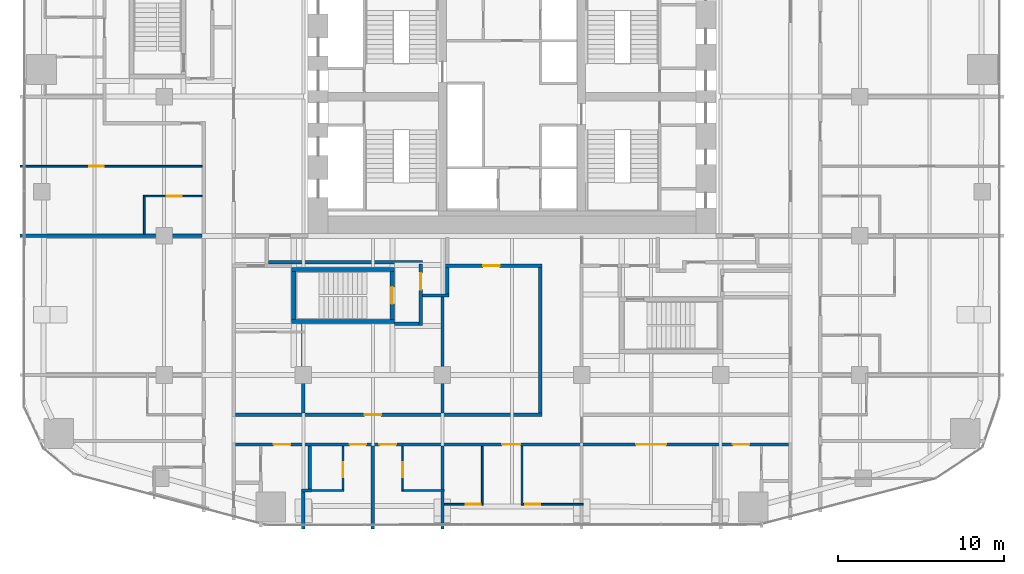
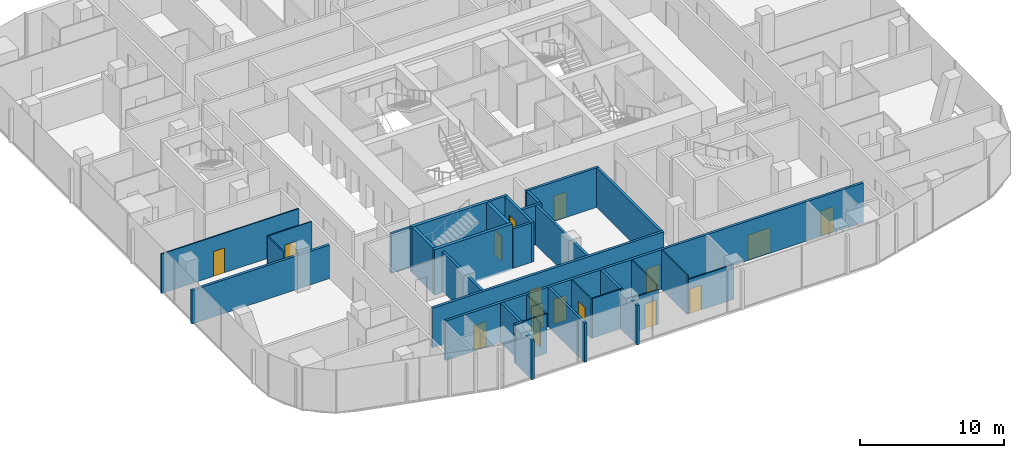
# One storey, part 17 of 27: 32 walls, 16 doors, 16 openings.
"""IFC4 building model written with IfcOpenShell, lengths in metres."""

from ifc_helpers import new_model, si_unit, direction, frame, frame_2d, origin, place, context, subcontext, project, spatial, rectangle, extrude, material, layer, layer_set, type_object, element, fill, save


model = new_model("IFC4")

# Units and contexts
model_context = context("Model", 3, precision=1e-05, world=origin(), true_north=direction((0.0, 1.0)))
body_context = subcontext(model_context, "Body", "Model", "MODEL_VIEW")
ifc_project = project(units=[si_unit("LENGTHUNIT", "METRE"), si_unit("AREAUNIT", "SQUARE_METRE"), si_unit("VOLUMEUNIT", "CUBIC_METRE"), si_unit("PLANEANGLEUNIT", "RADIAN"), si_unit("MASSUNIT", "GRAM", prefix="KILO")], contexts=[model_context])

# Site, building, storey
site_placement = place(None, origin())
site = spatial("IfcSite", under=ifc_project, at=site_placement, CompositionType="ELEMENT")
building_placement = place(site_placement, origin())
building = spatial("IfcBuilding", under=site, at=building_placement, Name="Marenta Gate Hotel Tower", CompositionType="ELEMENT")
storey_placement = place(building_placement, frame((0.0, 0.0, 36.5)))
storey = spatial("IfcBuildingStorey", under=building, at=storey_placement, Name="L06", CompositionType="ELEMENT", Elevation=36.5)

# Walls
ifc_material_1 = material(Name="Concrete C40", Category="concrete")
ifc_layer_1 = layer(ifc_material_1, 0.25)
ifc_layer_set_1 = layer_set([ifc_layer_1], Name="Concrete C40")
wall_type_1 = type_object("IfcWallType", Name="Remote stair enclosure wall 250 REI 180", PredefinedType="SHEAR", material=ifc_layer_set_1)
for number, where, z_axis, x_axis, name in (
    (1, (-13.300048828125, -5.175048828125, -0.14990234375), (0.0, 0.0, 1.0), (1.0, 0.0, 0.0), "L06-RS-Z1-2-W1"),
    (2, (-13.300048828125, -2.02490234375, -0.14990234375), (0.0, 0.0, 1.0), (1.0, 0.0, 0.0), "L06-RS-Z1-2-W2"),
):
    element("IfcWall", number, at=place(storey_placement, frame(where, z_axis=z_axis, x_axis=x_axis)), inside=storey, type_object=wall_type_1, Name=name, PredefinedType="SHEAR", context=body_context, shape_type="SweptSolid", body=[
        extrude(rectangle(XDim=6.199951171875, YDim=0.25, at=frame_2d((3.10009765625, 0.0))), origin(), (0.0, 0.0, 1.0), 3.849853515625),
    ])
wall_1_placement = place(storey_placement, frame((-13.175048828125, -5.050048828125, -0.14990234375), z_axis=(0.0, 0.0, 1.0), x_axis=(0.0, 1.0, 0.0)))
element("IfcWall", 3, at=wall_1_placement, inside=storey, type_object=wall_type_1, Name="L06-RS-Z1-2-W3", PredefinedType="SHEAR", context=body_context, shape_type="SweptSolid", body=[
    extrude(rectangle(XDim=2.900146484375, YDim=0.25, at=frame_2d((1.4501953125, 0.0))), origin(), (0.0, 0.0, 1.0), 3.849853515625),
])

# Wall, opening, door
wall_2_placement = place(storey_placement, frame((-7.22509765625, -5.050048828125, -0.14990234375), z_axis=(0.0, 0.0, 1.0), x_axis=(0.0, 1.0, 0.0)))
wall_2 = element("IfcWall", 4, at=wall_2_placement, inside=storey, type_object=wall_type_1, Name="L06-RS-Z1-2-W4", PredefinedType="SHEAR", context=body_context, shape_type="SweptSolid", body=[
    extrude(rectangle(XDim=2.900146484375, YDim=0.25, at=frame_2d((1.4501953125, 0.0))), origin(), (0.0, 0.0, 1.0), 3.849853515625),
])
opening_1_placement = place(wall_2_placement, frame((0.949951171875, 0.0, 0.0)))
opening_1 = element("IfcOpeningElement", 5, at=opening_1_placement, cuts=wall_2, Name="Opening VD", PredefinedType="OPENING", context=body_context, shape_type="SweptSolid", body=[
    extrude(rectangle(XDim=1.0, YDim=2.10009765625, at=frame_2d((0.5, 1.050048828125))), frame((0.0, 0.125, 0.0), z_axis=(0.0, -1.0, 0.0), x_axis=(1.0, 0.0, 0.0)), (0.0, 0.0, 1.0), 0.25),
])
ifc_material_2 = material(Name="Steel", Category="steel")
door_type_1 = type_object("IfcDoorType", Name="Stair vestibule door 1000x2100 FD60", OperationType="SINGLE_SWING_LEFT", PredefinedType="DOOR", material=ifc_material_2)
door_1_placement = place(opening_1_placement, origin())
door_1 = element("IfcDoor", 6, at=door_1_placement, inside=storey, type_object=door_type_1, Name="VD", OperationType="SINGLE_SWING_LEFT", OverallHeight=2.10009765625, OverallWidth=1.0, PredefinedType="DOOR", context=body_context, shape_type="SweptSolid", body=[
    extrude(rectangle(XDim=1.0, YDim=2.10009765625, at=frame_2d((0.5, 1.050048828125))), frame((0.0, 0.02490234375, 0.0), z_axis=(0.0, -1.0, 0.0), x_axis=(1.0, 0.0, 0.0)), (0.0, 0.0, 1.0), 0.050048828125),
])
fill(opening_1, door_1)

# Wall, openings, doors
ifc_material_3 = material(Name="Gypsum board on steel stud", Category="steel")
ifc_layer_2 = layer(ifc_material_3, 0.199951171875)
ifc_layer_set_2 = layer_set([ifc_layer_2], Name="Gypsum board on steel stud")
wall_type_2 = type_object("IfcWallType", Name="Room corridor wall 200 EI 60", PredefinedType="PARTITIONING", material=ifc_layer_set_2)
wall_3_placement = place(storey_placement, frame((-16.699951171875, -12.60009765625, 0.0), z_axis=(0.0, 0.0, 1.0), x_axis=(1.0, 0.0, 0.0)))
wall_3 = element("IfcWall", 7, at=wall_3_placement, inside=storey, type_object=wall_type_2, Name="L06-PTN-W031", PredefinedType="PARTITIONING", context=body_context, shape_type="SweptSolid", body=[
    extrude(rectangle(XDim=33.39990234375, YDim=0.199951171875, at=frame_2d((16.699951171875, 0.0))), origin(), (0.0, 0.0, 1.0), 3.340087890625),
])
opening_2_placement = place(wall_3_placement, frame((6.89990234375, 0.0, 0.0)))
opening_2 = element("IfcOpeningElement", 8, at=opening_2_placement, cuts=wall_3, Name="Opening G01-35", PredefinedType="OPENING", context=body_context, shape_type="SweptSolid", body=[
    extrude(rectangle(XDim=1.0, YDim=2.10009765625, at=frame_2d((0.5, 1.050048828125))), frame((0.0, 0.10009765625, 0.0), z_axis=(0.0, -1.0, 0.0), x_axis=(1.0, 0.0, 0.0)), (0.0, 0.0, 1.0), 0.199951171875),
])
opening_3_placement = place(wall_3_placement, frame((8.699951171875, 0.0, 0.0)))
opening_3 = element("IfcOpeningElement", 9, at=opening_3_placement, cuts=wall_3, Name="Opening G01-37", PredefinedType="OPENING", context=body_context, shape_type="SweptSolid", body=[
    extrude(rectangle(XDim=1.0, YDim=2.10009765625, at=frame_2d((0.5, 1.050048828125))), frame((0.0, 0.10009765625, 0.0), z_axis=(0.0, -1.0, 0.0), x_axis=(1.0, 0.0, 0.0)), (0.0, 0.0, 1.0), 0.199951171875),
])
opening_4_placement = place(wall_3_placement, frame((16.10009765625, 0.0, 0.0)))
opening_4 = element("IfcOpeningElement", 10, at=opening_4_placement, cuts=wall_3, Name="Opening G01-39", PredefinedType="OPENING", context=body_context, shape_type="SweptSolid", body=[
    extrude(rectangle(XDim=1.10009765625, YDim=2.10009765625, at=frame_2d((0.550048828125, 1.050048828125))), frame((0.0, 0.10009765625, 0.0), z_axis=(0.0, -1.0, 0.0), x_axis=(1.0, 0.0, 0.0)), (0.0, 0.0, 1.0), 0.199951171875),
])
opening_5_placement = place(wall_3_placement, frame((24.199951171875, 0.0, 0.0)))
opening_5 = element("IfcOpeningElement", 11, at=opening_5_placement, cuts=wall_3, Name="Opening G01-42", PredefinedType="OPENING", context=body_context, shape_type="SweptSolid", body=[
    extrude(rectangle(XDim=1.800048828125, YDim=2.10009765625, at=frame_2d((0.89990234375, 1.050048828125))), frame((0.0, 0.10009765625, 0.0), z_axis=(0.0, -1.0, 0.0), x_axis=(1.0, 0.0, 0.0)), (0.0, 0.0, 1.0), 0.199951171875),
])
opening_6_placement = place(wall_3_placement, frame((2.31689453125, 0.0, 0.0)))
opening_6 = element("IfcOpeningElement", 12, at=opening_6_placement, cuts=wall_3, Name="Opening G01-73", PredefinedType="OPENING", context=body_context, shape_type="SweptSolid", body=[
    extrude(rectangle(XDim=1.0, YDim=2.10009765625, at=frame_2d((0.5, 1.050048828125))), frame((0.0, 0.10009765625, 0.0), z_axis=(0.0, -1.0, 0.0), x_axis=(1.0, 0.0, 0.0)), (0.0, 0.0, 1.0), 0.199951171875),
])
opening_7_placement = place(wall_3_placement, frame((30.032958984375, 0.0, 0.0)))
opening_7 = element("IfcOpeningElement", 13, at=opening_7_placement, cuts=wall_3, Name="Opening G01-76", PredefinedType="OPENING", context=body_context, shape_type="SweptSolid", body=[
    extrude(rectangle(XDim=1.0, YDim=2.10009765625, at=frame_2d((0.5, 1.050048828125))), frame((0.0, 0.10009765625, 0.0), z_axis=(0.0, -1.0, 0.0), x_axis=(1.0, 0.0, 0.0)), (0.0, 0.0, 1.0), 0.199951171875),
])
ifc_material_4 = material(Name="Timber door leaf", Category="wood")
door_type_2 = type_object("IfcDoorType", Name="Guest room door 1000x2100 EI 30", OperationType="NOTDEFINED", PredefinedType="DOOR", material=ifc_material_4)
door_2_placement = place(opening_2_placement, origin())
door_2 = element("IfcDoor", 14, at=door_2_placement, inside=storey, type_object=door_type_2, Name="L06-PD-D035", OperationType="SINGLE_SWING_LEFT", OverallHeight=2.10009765625, OverallWidth=1.0, PredefinedType="DOOR", context=body_context, shape_type="SweptSolid", body=[
    extrude(rectangle(XDim=1.0, YDim=2.10009765625, at=frame_2d((0.5, 1.050048828125))), frame((0.0, 0.02490234375, 0.0), z_axis=(0.0, -1.0, 0.0), x_axis=(1.0, 0.0, 0.0)), (0.0, 0.0, 1.0), 0.050048828125),
])
fill(opening_2, door_2)
door_3_placement = place(opening_3_placement, origin())
door_3 = element("IfcDoor", 15, at=door_3_placement, inside=storey, type_object=door_type_2, Name="L06-PD-D037", OperationType="SINGLE_SWING_LEFT", OverallHeight=2.10009765625, OverallWidth=1.0, PredefinedType="DOOR", context=body_context, shape_type="SweptSolid", body=[
    extrude(rectangle(XDim=1.0, YDim=2.10009765625, at=frame_2d((0.5, 1.050048828125))), frame((0.0, 0.02490234375, 0.0), z_axis=(0.0, -1.0, 0.0), x_axis=(1.0, 0.0, 0.0)), (0.0, 0.0, 1.0), 0.050048828125),
])
fill(opening_3, door_3)
door_4_placement = place(opening_6_placement, origin())
door_4 = element("IfcDoor", 16, at=door_4_placement, inside=storey, type_object=door_type_2, Name="L06-PD-D073", OperationType="SINGLE_SWING_RIGHT", OverallHeight=2.10009765625, OverallWidth=1.0, PredefinedType="DOOR", context=body_context, shape_type="SweptSolid", body=[
    extrude(rectangle(XDim=1.0, YDim=2.10009765625, at=frame_2d((0.5, 1.050048828125))), frame((0.0, 0.02490234375, 0.0), z_axis=(0.0, -1.0, 0.0), x_axis=(1.0, 0.0, 0.0)), (0.0, 0.0, 1.0), 0.050048828125),
])
fill(opening_6, door_4)
door_5_placement = place(opening_7_placement, origin())
door_5 = element("IfcDoor", 17, at=door_5_placement, inside=storey, type_object=door_type_2, Name="L06-PD-D076", OperationType="SINGLE_SWING_LEFT", OverallHeight=2.10009765625, OverallWidth=1.0, PredefinedType="DOOR", context=body_context, shape_type="SweptSolid", body=[
    extrude(rectangle(XDim=1.0, YDim=2.10009765625, at=frame_2d((0.5, 1.050048828125))), frame((0.0, 0.02490234375, 0.0), z_axis=(0.0, -1.0, 0.0), x_axis=(1.0, 0.0, 0.0)), (0.0, 0.0, 1.0), 0.050048828125),
])
fill(opening_7, door_5)
ifc_material_5 = material(Name="Timber door leaf", Category="wood")
door_type_3 = type_object("IfcDoorType", Name="Guest room door 1100x2100 EI 30", OperationType="NOTDEFINED", PredefinedType="DOOR", material=ifc_material_5)
door_6_placement = place(opening_4_placement, origin())
door_6 = element("IfcDoor", 18, at=door_6_placement, inside=storey, type_object=door_type_3, Name="L06-PD-D039", OperationType="SINGLE_SWING_LEFT", OverallHeight=2.10009765625, OverallWidth=1.10009765625, PredefinedType="DOOR", context=body_context, shape_type="SweptSolid", body=[
    extrude(rectangle(XDim=1.10009765625, YDim=2.10009765625, at=frame_2d((0.550048828125, 1.050048828125))), frame((0.0, 0.02490234375, 0.0), z_axis=(0.0, -1.0, 0.0), x_axis=(1.0, 0.0, 0.0)), (0.0, 0.0, 1.0), 0.050048828125),
])
fill(opening_4, door_6)
ifc_material_6 = material(Name="Timber door leaf", Category="wood")
door_type_4 = type_object("IfcDoorType", Name="Room amenity door 1800x2100 EI 30", OperationType="DOUBLE_DOOR_SINGLE_SWING", PredefinedType="DOOR", material=ifc_material_6)
door_7_placement = place(opening_5_placement, origin())
door_7 = element("IfcDoor", 19, at=door_7_placement, inside=storey, type_object=door_type_4, Name="L06-PD-D042", OperationType="DOUBLE_DOOR_SINGLE_SWING", OverallHeight=2.10009765625, OverallWidth=1.800048828125, PredefinedType="DOOR", context=body_context, shape_type="SweptSolid", body=[
    extrude(rectangle(XDim=1.800048828125, YDim=2.10009765625, at=frame_2d((0.89990234375, 1.050048828125))), frame((0.0, 0.02490234375, 0.0), z_axis=(0.0, -1.0, 0.0), x_axis=(1.0, 0.0, 0.0)), (0.0, 0.0, 1.0), 0.050048828125),
])
fill(opening_5, door_7)

# Wall, opening, door
wall_4_placement = place(storey_placement, frame((-16.699951171875, -10.800048828125, 0.0), z_axis=(0.0, 0.0, 1.0), x_axis=(1.0, 0.0, 0.0)))
wall_4 = element("IfcWall", 20, at=wall_4_placement, inside=storey, type_object=wall_type_2, Name="L06-PTN-W037", PredefinedType="PARTITIONING", context=body_context, shape_type="SweptSolid", body=[
    extrude(rectangle(XDim=18.5, YDim=0.199951171875, at=frame_2d((9.25, 0.0))), origin(), (0.0, 0.0, 1.0), 3.340087890625),
])
opening_8_placement = place(wall_4_placement, frame((7.800048828125, 0.0, 0.0)))
opening_8 = element("IfcOpeningElement", 21, at=opening_8_placement, cuts=wall_4, Name="Opening G01-68", PredefinedType="OPENING", context=body_context, shape_type="SweptSolid", body=[
    extrude(rectangle(XDim=1.0, YDim=2.10009765625, at=frame_2d((0.5, 1.050048828125))), frame((0.0, 0.10009765625, 0.0), z_axis=(0.0, -1.0, 0.0), x_axis=(1.0, 0.0, 0.0)), (0.0, 0.0, 1.0), 0.199951171875),
])
ifc_material_7 = material(Name="Timber door leaf", Category="wood")
door_type_5 = type_object("IfcDoorType", Name="Room amenity door 1000x2100 EI 30", OperationType="NOTDEFINED", PredefinedType="DOOR", material=ifc_material_7)
door_8_placement = place(opening_8_placement, origin())
door_8 = element("IfcDoor", 22, at=door_8_placement, inside=storey, type_object=door_type_5, Name="L06-PD-D068", OperationType="SINGLE_SWING_LEFT", OverallHeight=2.10009765625, OverallWidth=1.0, PredefinedType="DOOR", context=body_context, shape_type="SweptSolid", body=[
    extrude(rectangle(XDim=1.0, YDim=2.10009765625, at=frame_2d((0.5, 1.050048828125))), frame((0.0, 0.02490234375, 0.0), z_axis=(0.0, -1.0, 0.0), x_axis=(1.0, 0.0, 0.0)), (0.0, 0.0, 1.0), 0.050048828125),
])
fill(opening_8, door_8)

wall_5_placement = place(storey_placement, frame((-4.0, -1.800048828125, 0.0), z_axis=(0.0, 0.0, 1.0), x_axis=(1.0, 0.0, 0.0)))
wall_5 = element("IfcWall", 23, at=wall_5_placement, inside=storey, type_object=wall_type_2, Name="L06-PTN-W066", PredefinedType="PARTITIONING", context=body_context, shape_type="SweptSolid", body=[
    extrude(rectangle(XDim=5.800048828125, YDim=0.199951171875, at=frame_2d((2.89990234375, 0.0))), origin(), (0.0, 0.0, 1.0), 3.340087890625),
])
opening_9_placement = place(wall_5_placement, frame((2.25, 0.0, 0.0)))
opening_9 = element("IfcOpeningElement", 24, at=opening_9_placement, cuts=wall_5, Name="Opening G01-07", PredefinedType="OPENING", context=body_context, shape_type="SweptSolid", body=[
    extrude(rectangle(XDim=1.0, YDim=2.10009765625, at=frame_2d((0.5, 1.050048828125))), frame((0.0, 0.10009765625, 0.0), z_axis=(0.0, -1.0, 0.0), x_axis=(1.0, 0.0, 0.0)), (0.0, 0.0, 1.0), 0.199951171875),
])
door_9_placement = place(opening_9_placement, origin())
door_9 = element("IfcDoor", 25, at=door_9_placement, inside=storey, type_object=door_type_5, Name="L06-PD-D007", OperationType="SINGLE_SWING_LEFT", OverallHeight=2.10009765625, OverallWidth=1.0, PredefinedType="DOOR", context=body_context, shape_type="SweptSolid", body=[
    extrude(rectangle(XDim=1.0, YDim=2.10009765625, at=frame_2d((0.5, 1.050048828125))), frame((0.0, 0.02490234375, 0.0), z_axis=(0.0, -1.0, 0.0), x_axis=(1.0, 0.0, 0.0)), (0.0, 0.0, 1.0), 0.050048828125),
])
fill(opening_9, door_9)

# Wall
wall_6_placement = place(storey_placement, frame((1.699951171875, -10.699951171875, 0.0), z_axis=(0.0, 0.0, 1.0), x_axis=(0.0, 1.0, 0.0)))
element("IfcWall", 26, at=wall_6_placement, inside=storey, type_object=wall_type_2, Name="L06-PTN-W071", PredefinedType="PARTITIONING", context=body_context, shape_type="SweptSolid", body=[
    extrude(rectangle(XDim=8.800048828125, YDim=0.199951171875, at=frame_2d((4.39990234375, 0.0))), origin(), (0.0, 0.0, 1.0), 3.340087890625),
])

# Wall, opening, door
ifc_material_8 = material(Name="Gypsum board on steel stud", Category="steel")
ifc_layer_3 = layer(ifc_material_8, 0.10009765625)
ifc_layer_set_3 = layer_set([ifc_layer_3], Name="Gypsum board on steel stud")
wall_type_3 = type_object("IfcWallType", Name="Room partition 100", PredefinedType="PARTITIONING", material=ifc_layer_set_3)
wall_7_placement = place(storey_placement, frame((-4.10009765625, -16.199951171875, 0.0), z_axis=(0.0, 0.0, 1.0), x_axis=(1.0, 0.0, 0.0)))
wall_7 = element("IfcWall", 27, at=wall_7_placement, inside=storey, type_object=wall_type_3, Name="L06-PTN-W013", PredefinedType="PARTITIONING", context=body_context, shape_type="SweptSolid", body=[
    extrude(rectangle(XDim=2.35009765625, YDim=0.10009765625, at=frame_2d((1.175048828125, 0.0))), origin(), (0.0, 0.0, 1.0), 2.93994140625),
])
opening_10_placement = place(wall_7_placement, frame((1.300048828125, 0.0, 0.0)))
opening_10 = element("IfcOpeningElement", 28, at=opening_10_placement, cuts=wall_7, Name="Opening G01-41", PredefinedType="OPENING", context=body_context, shape_type="SweptSolid", body=[
    extrude(rectangle(XDim=0.89990234375, YDim=2.10009765625, at=frame_2d((0.449951171875, 1.050048828125))), frame((0.0, 0.050048828125, 0.0), z_axis=(0.0, -1.0, 0.0), x_axis=(1.0, 0.0, 0.0)), (0.0, 0.0, 1.0), 0.10009765625),
])
ifc_material_9 = material(Name="Timber door leaf", Category="wood")
door_type_6 = type_object("IfcDoorType", Name="Room inner door 900x2100", OperationType="NOTDEFINED", PredefinedType="DOOR", material=ifc_material_9)
door_10_placement = place(opening_10_placement, origin())
door_10 = element("IfcDoor", 29, at=door_10_placement, inside=storey, type_object=door_type_6, Name="L06-PD-D041", OperationType="SINGLE_SWING_RIGHT", OverallHeight=2.10009765625, OverallWidth=0.89990234375, PredefinedType="DOOR", context=body_context, shape_type="SweptSolid", body=[
    extrude(rectangle(XDim=0.89990234375, YDim=2.10009765625, at=frame_2d((0.449951171875, 1.050048828125))), frame((0.0, 0.02490234375, 0.0), z_axis=(0.0, -1.0, 0.0), x_axis=(1.0, 0.0, 0.0)), (0.0, 0.0, 1.0), 0.050048828125),
])
fill(opening_10, door_10)

wall_8_placement = place(storey_placement, frame((0.64990234375, -16.199951171875, 0.0), z_axis=(0.0, 0.0, 1.0), x_axis=(1.0, 0.0, 0.0)))
wall_8 = element("IfcWall", 30, at=wall_8_placement, inside=storey, type_object=wall_type_3, Name="L06-PTN-W014", PredefinedType="PARTITIONING", context=body_context, shape_type="SweptSolid", body=[
    extrude(rectangle(XDim=3.650146484375, YDim=0.10009765625, at=frame_2d((1.8251953125, 0.0))), origin(), (0.0, 0.0, 1.0), 2.93994140625),
])
opening_11_placement = place(wall_8_placement, frame((0.14990234375, 0.0, 0.0)))
opening_11 = element("IfcOpeningElement", 31, at=opening_11_placement, cuts=wall_8, Name="Opening G01-40", PredefinedType="OPENING", context=body_context, shape_type="SweptSolid", body=[
    extrude(rectangle(XDim=0.89990234375, YDim=2.10009765625, at=frame_2d((0.449951171875, 1.050048828125))), frame((0.0, 0.050048828125, 0.0), z_axis=(0.0, -1.0, 0.0), x_axis=(1.0, 0.0, 0.0)), (0.0, 0.0, 1.0), 0.10009765625),
])
ifc_material_10 = material(Name="Timber door leaf", Category="wood")
door_type_7 = type_object("IfcDoorType", Name="Guest bathroom door 900x2100", OperationType="NOTDEFINED", PredefinedType="DOOR", material=ifc_material_10)
door_11_placement = place(opening_11_placement, origin())
door_11 = element("IfcDoor", 32, at=door_11_placement, inside=storey, type_object=door_type_7, Name="L06-PD-D040", OperationType="SINGLE_SWING_LEFT", OverallHeight=2.10009765625, OverallWidth=0.89990234375, PredefinedType="DOOR", context=body_context, shape_type="SweptSolid", body=[
    extrude(rectangle(XDim=0.89990234375, YDim=2.10009765625, at=frame_2d((0.449951171875, 1.050048828125))), frame((0.0, 0.02490234375, 0.0), z_axis=(0.0, -1.0, 0.0), x_axis=(1.0, 0.0, 0.0)), (0.0, 0.0, 1.0), 0.050048828125),
])
fill(opening_11, door_11)

# Walls
wall_9_placement = place(storey_placement, frame((-12.10009765625, -15.375, 0.0), z_axis=(0.0, 0.0, 1.0), x_axis=(1.0, 0.0, 0.0)))
element("IfcWall", 33, at=wall_9_placement, inside=storey, type_object=wall_type_3, Name="L06-PTN-W017", PredefinedType="PARTITIONING", context=body_context, shape_type="SweptSolid", body=[
    extrude(rectangle(XDim=1.9501953125, YDim=0.10009765625, at=frame_2d((0.97509765625, 0.0))), origin(), (0.0, 0.0, 1.0), 3.340087890625),
])
wall_10_placement = place(storey_placement, frame((-6.550048828125, -15.375, 0.0), z_axis=(0.0, 0.0, 1.0), x_axis=(1.0, 0.0, 0.0)))
element("IfcWall", 34, at=wall_10_placement, inside=storey, type_object=wall_type_3, Name="L06-PTN-W018", PredefinedType="PARTITIONING", context=body_context, shape_type="SweptSolid", body=[
    extrude(rectangle(XDim=2.449951171875, YDim=0.10009765625, at=frame_2d((1.22509765625, 0.0))), origin(), (0.0, 0.0, 1.0), 3.340087890625),
])
wall_11_placement = place(storey_placement, frame((0.60009765625, -16.25, 0.0), z_axis=(0.0, 0.0, 1.0), x_axis=(0.0, 1.0, 0.0)))
element("IfcWall", 35, at=wall_11_placement, inside=storey, type_object=wall_type_3, Name="L06-PTN-W074", PredefinedType="PARTITIONING", context=body_context, shape_type="SweptSolid", body=[
    extrude(rectangle(XDim=3.550048828125, YDim=0.10009765625, at=frame_2d((1.77490234375, 0.0))), origin(), (0.0, 0.0, 1.0), 3.340087890625),
])
wall_12_placement = place(storey_placement, frame((-1.800048828125, -16.14990234375, 0.0), z_axis=(0.0, 0.0, 1.0), x_axis=(0.0, 1.0, 0.0)))
element("IfcWall", 36, at=wall_12_placement, inside=storey, type_object=wall_type_3, Name="L06-PTN-W078", PredefinedType="PARTITIONING", context=body_context, shape_type="SweptSolid", body=[
    extrude(rectangle(XDim=3.449951171875, YDim=0.10009765625, at=frame_2d((1.72509765625, 0.0))), origin(), (0.0, 0.0, 1.0), 3.340087890625),
])

# Wall, opening, door
wall_13_placement = place(storey_placement, frame((-22.25, 2.39990234375, 0.0), z_axis=(0.0, 0.0, 1.0), x_axis=(1.0, 0.0, 0.0)))
wall_13 = element("IfcWall", 37, at=wall_13_placement, inside=storey, type_object=wall_type_3, Name="L06-PTN-W080", PredefinedType="PARTITIONING", context=body_context, shape_type="SweptSolid", body=[
    extrude(rectangle(XDim=3.550048828125, YDim=0.10009765625, at=frame_2d((1.77490234375, 0.0))), origin(), (0.0, 0.0, 1.0), 3.340087890625),
])
opening_12_placement = place(wall_13_placement, frame((1.39990234375, 0.0, 0.0)))
opening_12 = element("IfcOpeningElement", 38, at=opening_12_placement, cuts=wall_13, Name="Opening G01-50", PredefinedType="OPENING", context=body_context, shape_type="SweptSolid", body=[
    extrude(rectangle(XDim=0.89990234375, YDim=2.10009765625, at=frame_2d((0.449951171875, 1.050048828125))), frame((0.0, 0.050048828125, 0.0), z_axis=(0.0, -1.0, 0.0), x_axis=(1.0, 0.0, 0.0)), (0.0, 0.0, 1.0), 0.10009765625),
])
door_12_placement = place(opening_12_placement, origin())
door_12 = element("IfcDoor", 39, at=door_12_placement, inside=storey, type_object=door_type_7, Name="L06-PD-D050", OperationType="SINGLE_SWING_LEFT", OverallHeight=2.10009765625, OverallWidth=0.89990234375, PredefinedType="DOOR", context=body_context, shape_type="SweptSolid", body=[
    extrude(rectangle(XDim=0.89990234375, YDim=2.10009765625, at=frame_2d((0.449951171875, 1.050048828125))), frame((0.0, 0.02490234375, 0.0), z_axis=(0.0, -1.0, 0.0), x_axis=(1.0, 0.0, 0.0)), (0.0, 0.0, 1.0), 0.050048828125),
])
fill(opening_12, door_12)

wall_14_placement = place(storey_placement, frame((-29.699951171875, 4.199951171875, 0.0), z_axis=(0.0, 0.0, 1.0), x_axis=(1.0, 0.0, 0.0)))
wall_14 = element("IfcWall", 40, at=wall_14_placement, inside=storey, type_object=wall_type_3, Name="L06-PTN-W089", PredefinedType="PARTITIONING", context=body_context, shape_type="SweptSolid", body=[
    extrude(rectangle(XDim=11.0, YDim=0.10009765625, at=frame_2d((5.5, 0.0))), origin(), (0.0, 0.0, 1.0), 3.340087890625),
])
opening_13_placement = place(wall_14_placement, frame((4.169921875, 0.0, 0.0)))
opening_13 = element("IfcOpeningElement", 41, at=opening_13_placement, cuts=wall_14, Name="Opening G01-49", PredefinedType="OPENING", context=body_context, shape_type="SweptSolid", body=[
    extrude(rectangle(XDim=0.89990234375, YDim=2.10009765625, at=frame_2d((0.449951171875, 1.050048828125))), frame((0.0, 0.050048828125, 0.0), z_axis=(0.0, -1.0, 0.0), x_axis=(1.0, 0.0, 0.0)), (0.0, 0.0, 1.0), 0.10009765625),
])
door_13_placement = place(opening_13_placement, origin())
door_13 = element("IfcDoor", 42, at=door_13_placement, inside=storey, type_object=door_type_6, Name="L06-PD-D049", OperationType="SINGLE_SWING_LEFT", OverallHeight=2.10009765625, OverallWidth=0.89990234375, PredefinedType="DOOR", context=body_context, shape_type="SweptSolid", body=[
    extrude(rectangle(XDim=0.89990234375, YDim=2.10009765625, at=frame_2d((0.449951171875, 1.050048828125))), frame((0.0, 0.02490234375, 0.0), z_axis=(0.0, -1.0, 0.0), x_axis=(1.0, 0.0, 0.0)), (0.0, 0.0, 1.0), 0.050048828125),
])
fill(opening_13, door_13)

wall_15_placement = place(storey_placement, frame((-6.60009765625, -15.425048828125, 0.0), z_axis=(0.0, 0.0, 1.0), x_axis=(0.0, 1.0, 0.0)))
wall_15 = element("IfcWall", 43, at=wall_15_placement, inside=storey, type_object=wall_type_3, Name="L06-PTN-W092", PredefinedType="PARTITIONING", context=body_context, shape_type="SweptSolid", body=[
    extrude(rectangle(XDim=2.72509765625, YDim=0.10009765625, at=frame_2d((1.362548828125, 0.0))), origin(), (0.0, 0.0, 1.0), 3.340087890625),
])
opening_14_placement = place(wall_15_placement, frame((0.84912109375, 0.0, 0.0)))
opening_14 = element("IfcOpeningElement", 44, at=opening_14_placement, cuts=wall_15, Name="Opening G01-38", PredefinedType="OPENING", context=body_context, shape_type="SweptSolid", body=[
    extrude(rectangle(XDim=0.89990234375, YDim=2.10009765625, at=frame_2d((0.449951171875, 1.050048828125))), frame((0.0, 0.050048828125, 0.0), z_axis=(0.0, -1.0, 0.0), x_axis=(1.0, 0.0, 0.0)), (0.0, 0.0, 1.0), 0.10009765625),
])
door_14_placement = place(opening_14_placement, origin())
door_14 = element("IfcDoor", 45, at=door_14_placement, inside=storey, type_object=door_type_7, Name="L06-PD-D038", OperationType="SINGLE_SWING_RIGHT", OverallHeight=2.10009765625, OverallWidth=0.89990234375, PredefinedType="DOOR", context=body_context, shape_type="SweptSolid", body=[
    extrude(rectangle(XDim=0.89990234375, YDim=2.10009765625, at=frame_2d((0.449951171875, 1.050048828125))), frame((0.0, 0.02490234375, 0.0), z_axis=(0.0, -1.0, 0.0), x_axis=(1.0, 0.0, 0.0)), (0.0, 0.0, 1.0), 0.050048828125),
])
fill(opening_14, door_14)

wall_16_placement = place(storey_placement, frame((-10.199951171875, -15.324951171875, 0.0), z_axis=(0.0, 0.0, 1.0), x_axis=(0.0, 1.0, 0.0)))
wall_16 = element("IfcWall", 46, at=wall_16_placement, inside=storey, type_object=wall_type_3, Name="L06-PTN-W100", PredefinedType="PARTITIONING", context=body_context, shape_type="SweptSolid", body=[
    extrude(rectangle(XDim=2.625, YDim=0.10009765625, at=frame_2d((1.3125, 0.0))), origin(), (0.0, 0.0, 1.0), 3.340087890625),
])
opening_15_placement = place(wall_16_placement, frame((0.7490234375, 0.0, 0.0)))
opening_15 = element("IfcOpeningElement", 47, at=opening_15_placement, cuts=wall_16, Name="Opening G01-36", PredefinedType="OPENING", context=body_context, shape_type="SweptSolid", body=[
    extrude(rectangle(XDim=0.89990234375, YDim=2.10009765625, at=frame_2d((0.449951171875, 1.050048828125))), frame((0.0, 0.050048828125, 0.0), z_axis=(0.0, -1.0, 0.0), x_axis=(1.0, 0.0, 0.0)), (0.0, 0.0, 1.0), 0.10009765625),
])
door_15_placement = place(opening_15_placement, origin())
door_15 = element("IfcDoor", 48, at=door_15_placement, inside=storey, type_object=door_type_7, Name="L06-PD-D036", OperationType="SINGLE_SWING_LEFT", OverallHeight=2.10009765625, OverallWidth=0.89990234375, PredefinedType="DOOR", context=body_context, shape_type="SweptSolid", body=[
    extrude(rectangle(XDim=0.89990234375, YDim=2.10009765625, at=frame_2d((0.449951171875, 1.050048828125))), frame((0.0, 0.02490234375, 0.0), z_axis=(0.0, -1.0, 0.0), x_axis=(1.0, 0.0, 0.0)), (0.0, 0.0, 1.0), 0.050048828125),
])
fill(opening_15, door_15)

# Walls
wall_17_placement = place(storey_placement, frame((-22.199951171875, 0.10009765625, 0.0), z_axis=(0.0, 0.0, 1.0), x_axis=(0.0, 1.0, 0.0)))
element("IfcWall", 49, at=wall_17_placement, inside=storey, type_object=wall_type_3, Name="L06-PTN-W140", PredefinedType="PARTITIONING", context=body_context, shape_type="SweptSolid", body=[
    extrude(rectangle(XDim=2.25, YDim=0.10009765625, at=frame_2d((1.125, 0.0))), origin(), (0.0, 0.0, 1.0), 3.340087890625),
])
ifc_material_11 = material(Name="Gypsum board on steel stud", Category="steel")
ifc_layer_4 = layer(ifc_material_11, 0.199951171875)
ifc_layer_set_4 = layer_set([ifc_layer_4], Name="Gypsum board on steel stud")
wall_type_4 = type_object("IfcWallType", Name="Room party wall 200 EI 60", PredefinedType="PARTITIONING", material=ifc_layer_set_4)
wall_18_placement = place(storey_placement, frame((-12.699951171875, -15.375, 0.0), z_axis=(0.0, 0.0, 1.0), x_axis=(1.0, 0.0, 0.0)))
element("IfcWall", 50, at=wall_18_placement, inside=storey, type_object=wall_type_4, Name="L06-PTN-W016", PredefinedType="PARTITIONING", context=body_context, shape_type="SweptSolid", body=[
    extrude(rectangle(XDim=0.599853515625, YDim=0.199951171875, at=frame_2d((0.2998046875, 0.0))), origin(), (0.0, 0.0, 1.0), 3.340087890625),
])
wall_19_placement = place(storey_placement, frame((-29.699951171875, 0.0, 0.0), z_axis=(0.0, 0.0, 1.0), x_axis=(1.0, 0.0, 0.0)))
element("IfcWall", 51, at=wall_19_placement, inside=storey, type_object=wall_type_4, Name="L06-PTN-W076", PredefinedType="PARTITIONING", context=body_context, shape_type="SweptSolid", body=[
    extrude(rectangle(XDim=11.0, YDim=0.199951171875, at=frame_2d((5.5, 0.0))), origin(), (0.0, 0.0, 1.0), 2.840087890625),
])
wall_20_placement = place(storey_placement, frame((-4.199951171875, -17.699951171875, 0.0), z_axis=(0.0, 0.0, 1.0), x_axis=(0.0, 1.0, 0.0)))
element("IfcWall", 52, at=wall_20_placement, inside=storey, type_object=wall_type_4, Name="L06-PTN-W085", PredefinedType="PARTITIONING", context=body_context, shape_type="SweptSolid", body=[
    extrude(rectangle(XDim=5.0, YDim=0.199951171875, at=frame_2d((2.5, 0.0))), origin(), (0.0, 0.0, 1.0), 3.340087890625),
])
wall_21_placement = place(storey_placement, frame((-4.199951171875, -10.699951171875, 0.0), z_axis=(0.0, 0.0, 1.0), x_axis=(0.0, 1.0, 0.0)))
element("IfcWall", 53, at=wall_21_placement, inside=storey, type_object=wall_type_4, Name="L06-PTN-W086", PredefinedType="PARTITIONING", context=body_context, shape_type="SweptSolid", body=[
    extrude(rectangle(XDim=7.0, YDim=0.199951171875, at=frame_2d((3.5, 0.0))), origin(), (0.0, 0.0, 1.0), 3.340087890625),
])
wall_22_placement = place(storey_placement, frame((-8.39990234375, -17.699951171875, 0.0), z_axis=(0.0, 0.0, 1.0), x_axis=(0.0, 1.0, 0.0)))
element("IfcWall", 54, at=wall_22_placement, inside=storey, type_object=wall_type_4, Name="L06-PTN-W095", PredefinedType="PARTITIONING", context=body_context, shape_type="SweptSolid", body=[
    extrude(rectangle(XDim=5.0, YDim=0.199951171875, at=frame_2d((2.5, 0.0))), origin(), (0.0, 0.0, 1.0), 3.340087890625),
])
wall_23_placement = place(storey_placement, frame((-12.199951171875, -15.27490234375, 0.0), z_axis=(0.0, 0.0, 1.0), x_axis=(0.0, 1.0, 0.0)))
element("IfcWall", 55, at=wall_23_placement, inside=storey, type_object=wall_type_4, Name="L06-PTN-W102", PredefinedType="PARTITIONING", context=body_context, shape_type="SweptSolid", body=[
    extrude(rectangle(XDim=2.574951171875, YDim=0.199951171875, at=frame_2d((1.28759765625, 0.0))), origin(), (0.0, 0.0, 1.0), 3.340087890625),
])
wall_24_placement = place(storey_placement, frame((-12.60009765625, -17.699951171875, 0.0), z_axis=(0.0, 0.0, 1.0), x_axis=(0.0, 1.0, 0.0)))
element("IfcWall", 56, at=wall_24_placement, inside=storey, type_object=wall_type_4, Name="L06-PTN-W103", PredefinedType="PARTITIONING", context=body_context, shape_type="SweptSolid", body=[
    extrude(rectangle(XDim=2.224853515625, YDim=0.199951171875, at=frame_2d((1.1123046875, 0.0))), origin(), (0.0, 0.0, 1.0), 3.340087890625),
])
wall_25_placement = place(storey_placement, frame((-12.60009765625, -10.699951171875, 0.0), z_axis=(0.0, 0.0, 1.0), x_axis=(0.0, 1.0, 0.0)))
element("IfcWall", 57, at=wall_25_placement, inside=storey, type_object=wall_type_4, Name="L06-PTN-W104", PredefinedType="PARTITIONING", context=body_context, shape_type="SweptSolid", body=[
    extrude(rectangle(XDim=5.39990234375, YDim=0.199951171875, at=frame_2d((2.699951171875, 0.0))), origin(), (0.0, 0.0, 1.0), 3.340087890625),
])
ifc_material_12 = material(Name="Concrete blockwork", Category="masonry")
ifc_layer_5 = layer(ifc_material_12, 0.199951171875)
ifc_layer_set_5 = layer_set([ifc_layer_5], Name="Concrete blockwork")
wall_type_5 = type_object("IfcWallType", Name="Room party wall 200 REI 180", PredefinedType="PARTITIONING", material=ifc_layer_set_5)
wall_26_placement = place(storey_placement, frame((-7.10009765625, -5.300048828125, 0.0), z_axis=(0.0, 0.0, 1.0), x_axis=(1.0, 0.0, 0.0)))
element("IfcWall", 58, at=wall_26_placement, inside=storey, type_object=wall_type_5, Name="L06-PTN-W054", PredefinedType="PARTITIONING", context=body_context, shape_type="SweptSolid", body=[
    extrude(rectangle(XDim=1.5, YDim=0.199951171875, at=frame_2d((0.75, 0.0))), origin(), (0.0, 0.0, 1.0), 3.340087890625),
])
wall_27_placement = place(storey_placement, frame((-5.39990234375, -3.60009765625, 0.0), z_axis=(0.0, 0.0, 1.0), x_axis=(1.0, 0.0, 0.0)))
element("IfcWall", 59, at=wall_27_placement, inside=storey, type_object=wall_type_5, Name="L06-PTN-W060", PredefinedType="PARTITIONING", context=body_context, shape_type="SweptSolid", body=[
    extrude(rectangle(XDim=1.599853515625, YDim=0.199951171875, at=frame_2d((0.7998046875, 0.0))), origin(), (0.0, 0.0, 1.0), 3.340087890625),
])
wall_28_placement = place(storey_placement, frame((-14.699951171875, -1.60009765625, 0.0), z_axis=(0.0, 0.0, 1.0), x_axis=(1.0, 0.0, 0.0)))
element("IfcWall", 60, at=wall_28_placement, inside=storey, type_object=wall_type_5, Name="L06-PTN-W072", PredefinedType="PARTITIONING", context=body_context, shape_type="SweptSolid", body=[
    extrude(rectangle(XDim=9.300048828125, YDim=0.199951171875, at=frame_2d((4.64990234375, 0.0))), origin(), (0.0, 0.0, 1.0), 3.340087890625),
])
wall_29_placement = place(storey_placement, frame((-3.89990234375, -3.5, 0.0), z_axis=(0.0, 0.0, 1.0), x_axis=(0.0, 1.0, 0.0)))
element("IfcWall", 61, at=wall_29_placement, inside=storey, type_object=wall_type_5, Name="L06-PTN-W083", PredefinedType="PARTITIONING", context=body_context, shape_type="SweptSolid", body=[
    extrude(rectangle(XDim=1.60009765625, YDim=0.199951171875, at=frame_2d((0.800048828125, 0.0))), origin(), (0.0, 0.0, 1.0), 3.340087890625),
])

# Wall, opening, door
wall_30_placement = place(storey_placement, frame((-5.5, -5.39990234375, 0.0), z_axis=(0.0, 0.0, 1.0), x_axis=(0.0, 1.0, 0.0)))
wall_30 = element("IfcWall", 62, at=wall_30_placement, inside=storey, type_object=wall_type_5, Name="L06-PTN-W091", PredefinedType="PARTITIONING", context=body_context, shape_type="SweptSolid", body=[
    extrude(rectangle(XDim=3.699951171875, YDim=0.199951171875, at=frame_2d((1.85009765625, 0.0))), origin(), (0.0, 0.0, 1.0), 3.340087890625),
])
opening_16_placement = place(wall_30_placement, frame((2.14990234375, 0.0, 0.0)))
opening_16 = element("IfcOpeningElement", 63, at=opening_16_placement, cuts=wall_30, Name="Opening G01-62", PredefinedType="OPENING", context=body_context, shape_type="SweptSolid", body=[
    extrude(rectangle(XDim=1.0, YDim=2.10009765625, at=frame_2d((0.5, 1.050048828125))), frame((0.0, 0.10009765625, 0.0), z_axis=(0.0, -1.0, 0.0), x_axis=(1.0, 0.0, 0.0)), (0.0, 0.0, 1.0), 0.199951171875),
])
ifc_material_13 = material(Name="Hollow steel door set", Category="steel")
door_type_8 = type_object("IfcDoorType", Name="Stair vestibule door 1000x2100 EI 60", OperationType="NOTDEFINED", PredefinedType="DOOR", material=ifc_material_13)
door_16_placement = place(opening_16_placement, origin())
door_16 = element("IfcDoor", 64, at=door_16_placement, inside=storey, type_object=door_type_8, Name="L06-PD-D062", OperationType="SINGLE_SWING_RIGHT", OverallHeight=2.10009765625, OverallWidth=1.0, PredefinedType="DOOR", context=body_context, shape_type="SweptSolid", body=[
    extrude(rectangle(XDim=1.0, YDim=2.10009765625, at=frame_2d((0.5, 1.050048828125))), frame((0.0, 0.02490234375, 0.0), z_axis=(0.0, -1.0, 0.0), x_axis=(1.0, 0.0, 0.0)), (0.0, 0.0, 1.0), 0.050048828125),
])
fill(opening_16, door_16)

save(model, "model.ifc")
